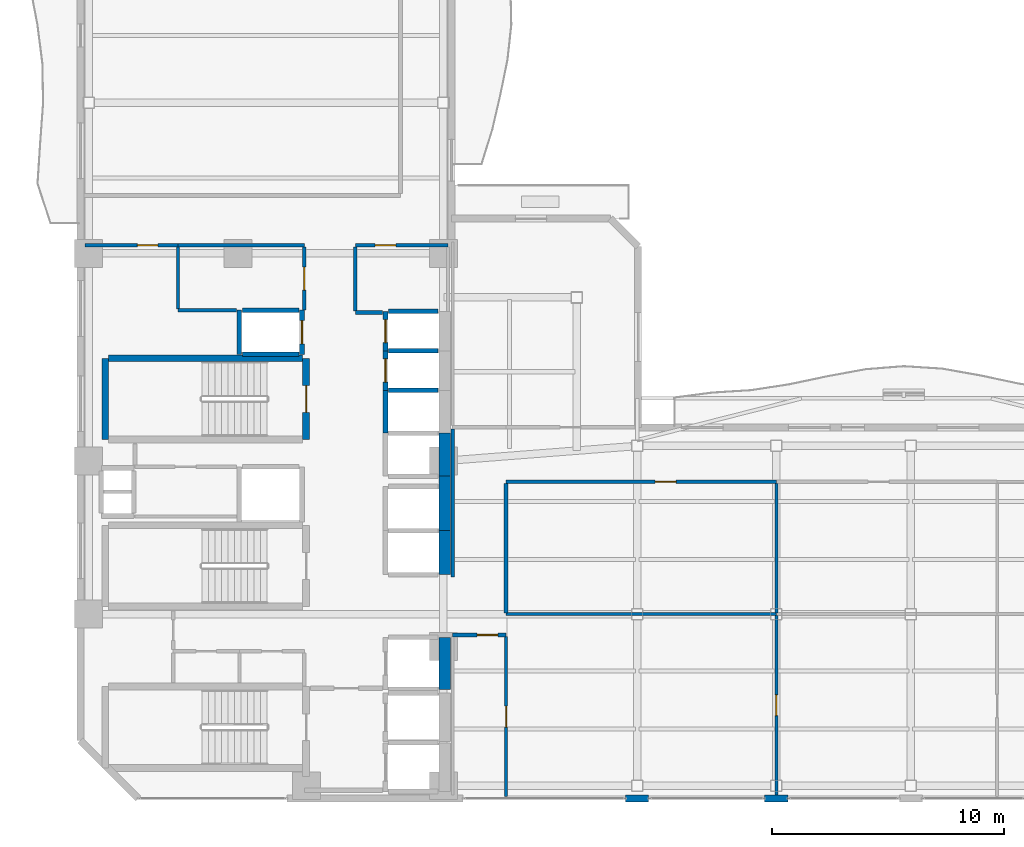
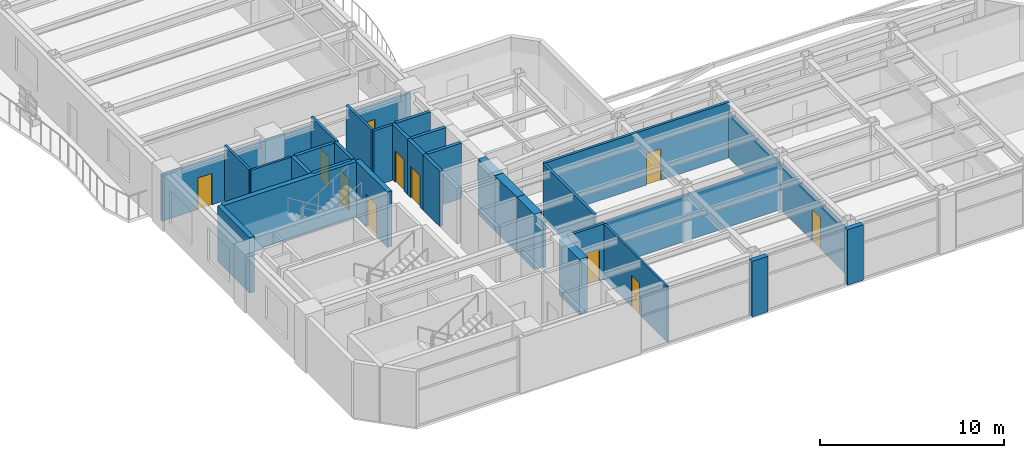
# One storey, part 10 of 15: 35 walls, 11 doors, 11 openings.
"""IFC4 building model written with IfcOpenShell, lengths in metres."""

from ifc_helpers import new_model, si_unit, direction, frame, frame_2d, origin, place, context, subcontext, project, spatial, rectangle, extrude, material, layer, layer_set, type_object, element, fill, save


model = new_model("IFC4")

# Units and contexts
model_context = context("Model", 3, precision=1e-05, world=origin(), true_north=direction((0.0, 1.0)))
body_context = subcontext(model_context, "Body", "Model", "MODEL_VIEW")
ifc_project = project(units=[si_unit("LENGTHUNIT", "METRE"), si_unit("AREAUNIT", "SQUARE_METRE"), si_unit("VOLUMEUNIT", "CUBIC_METRE"), si_unit("PLANEANGLEUNIT", "RADIAN"), si_unit("MASSUNIT", "GRAM", prefix="KILO")], contexts=[model_context])

# Site, building, storey
site_placement = place(None, origin())
site = spatial("IfcSite", under=ifc_project, at=site_placement, CompositionType="ELEMENT")
building_placement = place(site_placement, origin())
building = spatial("IfcBuilding", under=site, at=building_placement, Name="Mawjaban Terraces University", CompositionType="ELEMENT")
storey_placement = place(building_placement, frame((0.0, 0.0, 142.39990234375)))
storey = spatial("IfcBuildingStorey", under=building, at=storey_placement, Name="L34", CompositionType="ELEMENT", Elevation=142.39990234375)

# Walls
ifc_material_1 = material(Name="Concrete C60/75", Category="concrete")
ifc_layer_1 = layer(ifc_material_1, 0.5)
ifc_layer_set_1 = layer_set([ifc_layer_1], Name="Concrete C60/75")
wall_type_1 = type_object("IfcWallType", Name="CoreShearWall_500", PredefinedType="SHEAR", material=ifc_layer_set_1)
wall_1_placement = place(storey_placement, frame((37.699951171875, 4.699951171875, 0.0), z_axis=(0.0, 0.0, 1.0), x_axis=(0.0, 1.0, 0.0)))
element("IfcWall", 1, at=wall_1_placement, inside=storey, type_object=wall_type_1, Name="L34 Lift SL-1 Hoistway Wall East", PredefinedType="SHEAR", context=body_context, shape_type="SweptSolid", body=[
    extrude(rectangle(XDim=2.25, YDim=0.5, at=frame_2d((1.125, 0.0))), origin(), (0.0, 0.0, 1.0), 3.690185546875),
])
wall_2_placement = place(storey_placement, frame((37.699951171875, 9.64990234375, 0.0), z_axis=(0.0, 0.0, 1.0), x_axis=(0.0, 1.0, 0.0)))
element("IfcWall", 2, at=wall_2_placement, inside=storey, type_object=wall_type_1, Name="L34 Lift PL-H1 Hoistway Wall East", PredefinedType="SHEAR", context=body_context, shape_type="SweptSolid", body=[
    extrude(rectangle(XDim=1.900146484375, YDim=0.5, at=frame_2d((0.9501953125, 0.0))), origin(), (0.0, 0.0, 1.0), 3.690185546875),
])
wall_3_placement = place(storey_placement, frame((37.699951171875, 11.550048828125, 0.0), z_axis=(0.0, 0.0, 1.0), x_axis=(0.0, 1.0, 0.0)))
element("IfcWall", 3, at=wall_3_placement, inside=storey, type_object=wall_type_1, Name="L34 Lift PL-H2 Hoistway Wall East", PredefinedType="SHEAR", context=body_context, shape_type="SweptSolid", body=[
    extrude(rectangle(XDim=2.349853515625, YDim=0.5, at=frame_2d((1.1748046875, 0.0))), origin(), (0.0, 0.0, 1.0), 3.690185546875),
])
wall_4_placement = place(storey_placement, frame((37.699951171875, 13.89990234375, 0.0), z_axis=(0.0, 0.0, 1.0), x_axis=(0.0, 1.0, 0.0)))
element("IfcWall", 4, at=wall_4_placement, inside=storey, type_object=wall_type_1, Name="L34 Lift OL-1 Hoistway Wall East", PredefinedType="SHEAR", context=body_context, shape_type="SweptSolid", body=[
    extrude(rectangle(XDim=1.85009765625, YDim=0.5, at=frame_2d((0.925048828125, 0.0))), origin(), (0.0, 0.0, 1.0), 3.690185546875),
])

# Wall, opening, door
ifc_material_2 = material(Name="Fire-rated gypsum board on steel stud", Category="steel")
ifc_layer_2 = layer(ifc_material_2, 0.159912109375)
ifc_layer_set_2 = layer_set([ifc_layer_2], Name="Fire-rated gypsum board on steel stud")
wall_type_2 = type_object("IfcWallType", Name="CorridorPartition_160", PredefinedType="PARTITIONING", material=ifc_layer_set_2)
wall_5_placement = place(storey_placement, frame((26.199951171875, 23.85009765625, 0.0), z_axis=(0.0, 0.0, 1.0), x_axis=(-1.0, 0.0, 0.0)))
wall_5 = element("IfcWall", 5, at=wall_5_placement, inside=storey, type_object=wall_type_2, Name="L34 Female Toilet Partition 5", PredefinedType="PARTITIONING", context=body_context, shape_type="SweptSolid", body=[
    extrude(rectangle(XDim=4.0, YDim=0.159912109375, at=frame_2d((2.0, 0.0))), origin(), (0.0, 0.0, 1.0), 3.07421875),
])
opening_1_placement = place(wall_5_placement, frame((0.860107421875, 0.0, 0.0)))
opening_1 = element("IfcOpeningElement", 6, at=opening_1_placement, cuts=wall_5, Name="Opening ID-088", PredefinedType="OPENING", context=body_context, shape_type="SweptSolid", body=[
    extrude(rectangle(XDim=0.8798828125, YDim=2.10009765625, at=frame_2d((0.43994140625, 1.050048828125))), frame((0.0, 0.08984375, 0.0), z_axis=(0.0, -1.0, 0.0), x_axis=(1.0, 0.0, 0.0)), (0.0, 0.0, 1.0), 0.179931640625),
])
ifc_material_3 = material(Name="Powder-coated steel frame and solid acoustic timber leaf", Category="steel")
door_type_1 = type_object("IfcDoorType", Name="ToiletDoor_880x2100", OperationType="NOTDEFINED", PredefinedType="DOOR", material=ifc_material_3)
door_1_placement = place(opening_1_placement, origin())
door_1 = element("IfcDoor", 7, at=door_1_placement, inside=storey, type_object=door_type_1, Name="L34 Female Toilet Door", OperationType="SINGLE_SWING_LEFT", OverallHeight=2.10009765625, OverallWidth=0.8798828125, PredefinedType="DOOR", context=body_context, shape_type="SweptSolid", body=[
    extrude(rectangle(XDim=0.8798828125, YDim=2.10009765625, at=frame_2d((0.43994140625, 1.050048828125))), frame((0.0, 0.02490234375, 0.0), z_axis=(0.0, -1.0, 0.0), x_axis=(1.0, 0.0, 0.0)), (0.0, 0.0, 1.0), 0.050048828125),
])
fill(opening_1, door_1)

# Walls
wall_6_placement = place(storey_placement, frame((31.64990234375, 23.85009765625, 0.0), z_axis=(0.0, 0.0, 1.0), x_axis=(-1.0, 0.0, 0.0)))
element("IfcWall", 8, at=wall_6_placement, inside=storey, type_object=wall_type_2, Name="L34 Academic Tutorial Alcove Partition 8", PredefinedType="PARTITIONING", context=body_context, shape_type="SweptSolid", body=[
    extrude(rectangle(XDim=5.449951171875, YDim=0.159912109375, at=frame_2d((2.72509765625, 0.0))), origin(), (0.0, 0.0, 1.0), 3.07421875),
])
wall_7_placement = place(storey_placement, frame((35.02001953125, 20.949951171875, 0.0), z_axis=(0.0, 0.0, 1.0), x_axis=(-1.0, 0.0, 0.0)))
element("IfcWall", 9, at=wall_7_placement, inside=storey, type_object=wall_type_2, Name="L34 Passenger Lift Lobby Partition 10", PredefinedType="PARTITIONING", context=body_context, shape_type="SweptSolid", body=[
    extrude(rectangle(XDim=1.169921875, YDim=0.159912109375, at=frame_2d((0.5849609375, 0.0))), origin(), (0.0, 0.0, 1.0), 3.690185546875),
])

# Wall, opening, door
wall_8_placement = place(storey_placement, frame((37.85009765625, 23.85009765625, 0.0), z_axis=(0.0, 0.0, 1.0), x_axis=(-1.0, 0.0, 0.0)))
wall_8 = element("IfcWall", 10, at=wall_8_placement, inside=storey, type_object=wall_type_2, Name="L34 Departmental Resource Seminar Room Partition 12", PredefinedType="PARTITIONING", context=body_context, shape_type="SweptSolid", body=[
    extrude(rectangle(XDim=4.0, YDim=0.159912109375, at=frame_2d((2.0, 0.0))), origin(), (0.0, 0.0, 1.0), 3.07421875),
])
opening_2_placement = place(wall_8_placement, frame((2.25, 0.0, 0.0)))
opening_2 = element("IfcOpeningElement", 11, at=opening_2_placement, cuts=wall_8, Name="Opening ID-090", PredefinedType="OPENING", context=body_context, shape_type="SweptSolid", body=[
    extrude(rectangle(XDim=0.89990234375, YDim=2.10009765625, at=frame_2d((0.449951171875, 1.050048828125))), frame((0.0, 0.08984375, 0.0), z_axis=(0.0, -1.0, 0.0), x_axis=(1.0, 0.0, 0.0)), (0.0, 0.0, 1.0), 0.179931640625),
])
door_type_2 = type_object("IfcDoorType", Name="OfficeDoor_900x2100", OperationType="NOTDEFINED", PredefinedType="DOOR", material=ifc_material_3)
door_2_placement = place(opening_2_placement, origin())
door_2 = element("IfcDoor", 12, at=door_2_placement, inside=storey, type_object=door_type_2, Name="L34 Departmental Resource Seminar Room Door", OperationType="SINGLE_SWING_LEFT", OverallHeight=2.10009765625, OverallWidth=0.89990234375, PredefinedType="DOOR", context=body_context, shape_type="SweptSolid", body=[
    extrude(rectangle(XDim=0.89990234375, YDim=2.10009765625, at=frame_2d((0.449951171875, 1.050048828125))), frame((0.0, 0.02490234375, 0.0), z_axis=(0.0, -1.0, 0.0), x_axis=(1.0, 0.0, 0.0)), (0.0, 0.0, 1.0), 0.050048828125),
])
fill(opening_2, door_2)

wall_9_placement = place(storey_placement, frame((38.050048828125, 7.050048828125, 0.0), z_axis=(0.0, 0.0, 1.0), x_axis=(1.0, 0.0, 0.0)))
wall_9 = element("IfcWall", 13, at=wall_9_placement, inside=storey, type_object=wall_type_2, Name="L34 Inner Gallery Link Corridor Partition 13", PredefinedType="PARTITIONING", context=body_context, shape_type="SweptSolid", body=[
    extrude(rectangle(XDim=2.300048828125, YDim=0.159912109375, at=frame_2d((1.14990234375, 0.0))), origin(), (0.0, 0.0, 1.0), 3.690185546875),
])
opening_3_placement = place(wall_9_placement, frame((1.050048828125, 0.0, 0.0)))
opening_3 = element("IfcOpeningElement", 14, at=opening_3_placement, cuts=wall_9, Name="Opening ID-090", PredefinedType="OPENING", context=body_context, shape_type="SweptSolid", body=[
    extrude(rectangle(XDim=0.89990234375, YDim=2.10009765625, at=frame_2d((0.449951171875, 1.050048828125))), frame((0.0, 0.08984375, 0.0), z_axis=(0.0, -1.0, 0.0), x_axis=(1.0, 0.0, 0.0)), (0.0, 0.0, 1.0), 0.179931640625),
])
door_3_placement = place(opening_3_placement, origin())
door_3 = element("IfcDoor", 15, at=door_3_placement, inside=storey, type_object=door_type_2, Name="L34 Collaborative Study Room 1 Door", OperationType="SINGLE_SWING_RIGHT", OverallHeight=2.10009765625, OverallWidth=0.89990234375, PredefinedType="DOOR", context=body_context, shape_type="SweptSolid", body=[
    extrude(rectangle(XDim=0.89990234375, YDim=2.10009765625, at=frame_2d((0.449951171875, 1.050048828125))), frame((0.0, 0.02490234375, 0.0), z_axis=(0.0, -1.0, 0.0), x_axis=(1.0, 0.0, 0.0)), (0.0, 0.0, 1.0), 0.050048828125),
])
fill(opening_3, door_3)

wall_10_placement = place(storey_placement, frame((40.35009765625, 13.64990234375, 0.0), z_axis=(0.0, 0.0, 1.0), x_axis=(1.0, 0.0, 0.0)))
wall_10 = element("IfcWall", 16, at=wall_10_placement, inside=storey, type_object=wall_type_2, Name="L34 Inner Terrace Gallery Corridor East Partition 14", PredefinedType="PARTITIONING", context=body_context, shape_type="SweptSolid", body=[
    extrude(rectangle(XDim=11.64990234375, YDim=0.159912109375, at=frame_2d((5.824951171875, 0.0))), origin(), (0.0, 0.0, 1.0), 3.690185546875),
])
opening_4_placement = place(wall_10_placement, frame((6.425048828125, 0.0, 0.0)))
opening_4 = element("IfcOpeningElement", 17, at=opening_4_placement, cuts=wall_10, Name="Opening ID-090", PredefinedType="OPENING", context=body_context, shape_type="SweptSolid", body=[
    extrude(rectangle(XDim=0.89990234375, YDim=2.10009765625, at=frame_2d((0.449951171875, 1.050048828125))), frame((0.0, 0.08984375, 0.0), z_axis=(0.0, -1.0, 0.0), x_axis=(1.0, 0.0, 0.0)), (0.0, 0.0, 1.0), 0.179931640625),
])
door_4_placement = place(opening_4_placement, origin())
door_4 = element("IfcDoor", 18, at=door_4_placement, inside=storey, type_object=door_type_2, Name="L34 Collaborative Study Room 3 Door", OperationType="SINGLE_SWING_RIGHT", OverallHeight=2.10009765625, OverallWidth=0.89990234375, PredefinedType="DOOR", context=body_context, shape_type="SweptSolid", body=[
    extrude(rectangle(XDim=0.89990234375, YDim=2.10009765625, at=frame_2d((0.449951171875, 1.050048828125))), frame((0.0, 0.02490234375, 0.0), z_axis=(0.0, -1.0, 0.0), x_axis=(1.0, 0.0, 0.0)), (0.0, 0.0, 1.0), 0.050048828125),
])
fill(opening_4, door_4)

wall_11_placement = place(storey_placement, frame((31.64990234375, 23.77490234375, 0.0), z_axis=(0.0, 0.0, 1.0), x_axis=(0.0, -1.0, 0.0)))
wall_11 = element("IfcWall", 19, at=wall_11_placement, inside=storey, type_object=wall_type_2, Name="L34 Core North Lift Lobby Partition 28", PredefinedType="PARTITIONING", context=body_context, shape_type="SweptSolid", body=[
    extrude(rectangle(XDim=2.724853515625, YDim=0.159912109375, at=frame_2d((1.3623046875, 0.0))), origin(), (0.0, 0.0, 1.0), 3.690185546875),
])
opening_5_placement = place(wall_11_placement, frame((0.862060546875, 0.0, 0.0)))
opening_5 = element("IfcOpeningElement", 20, at=opening_5_placement, cuts=wall_11, Name="Opening ID-100", PredefinedType="OPENING", context=body_context, shape_type="SweptSolid", body=[
    extrude(rectangle(XDim=1.0, YDim=2.10009765625, at=frame_2d((0.5, 1.050048828125))), frame((0.0, 0.08984375, 0.0), z_axis=(0.0, -1.0, 0.0), x_axis=(1.0, 0.0, 0.0)), (0.0, 0.0, 1.0), 0.179931640625),
])
door_type_3 = type_object("IfcDoorType", Name="ClassroomDoor_1000x2100", OperationType="NOTDEFINED", PredefinedType="DOOR", material=ifc_material_3)
door_5_placement = place(opening_5_placement, origin())
door_5 = element("IfcDoor", 21, at=door_5_placement, inside=storey, type_object=door_type_3, Name="L34 Academic Tutorial Alcove Door", OperationType="SINGLE_SWING_RIGHT", OverallHeight=2.10009765625, OverallWidth=1.0, PredefinedType="DOOR", context=body_context, shape_type="SweptSolid", body=[
    extrude(rectangle(XDim=1.0, YDim=2.10009765625, at=frame_2d((0.5, 1.050048828125))), frame((0.0, 0.02490234375, 0.0), z_axis=(0.0, -1.0, 0.0), x_axis=(1.0, 0.0, 0.0)), (0.0, 0.0, 1.0), 0.050048828125),
])
fill(opening_5, door_5)

# Walls
wall_12_placement = place(storey_placement, frame((33.85009765625, 21.02490234375, 0.0), z_axis=(0.0, 0.0, 1.0), x_axis=(0.0, 1.0, 0.0)))
element("IfcWall", 22, at=wall_12_placement, inside=storey, type_object=wall_type_2, Name="L34 Core North Lift Lobby Partition 29", PredefinedType="PARTITIONING", context=body_context, shape_type="SweptSolid", body=[
    extrude(rectangle(XDim=2.75, YDim=0.159912109375, at=frame_2d((1.375, 0.0))), origin(), (0.0, 0.0, 1.0), 3.690185546875),
])
wall_13_placement = place(storey_placement, frame((38.050048828125, 15.925048828125, 0.0), z_axis=(0.0, 0.0, 1.0), x_axis=(0.0, -1.0, 0.0)))
element("IfcWall", 23, at=wall_13_placement, inside=storey, type_object=wall_type_2, Name="L34 Inner Gallery Link Corridor Partition 33", PredefinedType="PARTITIONING", context=body_context, shape_type="SweptSolid", body=[
    extrude(rectangle(XDim=6.375, YDim=0.159912109375, at=frame_2d((3.1875, 0.0))), origin(), (0.0, 0.0, 1.0), 3.07421875),
])
wall_14_placement = place(storey_placement, frame((40.35009765625, 8.008056640625, 0.0), z_axis=(0.0, 0.0, 1.0), x_axis=(0.0, 1.0, 0.0)))
element("IfcWall", 24, at=wall_14_placement, inside=storey, type_object=wall_type_2, Name="L34 Inner Gallery Link Corridor Partition 36", PredefinedType="PARTITIONING", context=body_context, shape_type="SweptSolid", body=[
    extrude(rectangle(XDim=5.56689453125, YDim=0.159912109375, at=frame_2d((2.783447265625, 0.0))), origin(), (0.0, 0.0, 1.0), 3.690185546875),
])
ifc_material_4 = material(Name="Insulated terracotta rainscreen on concrete backup C40/50", Category="masonry")
ifc_layer_3 = layer(ifc_material_4, 0.300048828125)
ifc_layer_set_3 = layer_set([ifc_layer_3], Name="Insulated terracotta rainscreen on concrete backup C40/50")
wall_type_3 = type_object("IfcWallType", Name="ExtTerracottaWall_300", PredefinedType="SOLIDWALL", material=ifc_layer_set_3)
for number, where, z_axis, x_axis, name in (
    (25, (45.5, 0.0, 0.0), (0.0, 0.0, 1.0), (1.0, 0.0, 0.0), "L34 Exterior Terracotta Pier Wall 1.2"),
    (26, (51.5, 0.0, 0.0), (0.0, 0.0, 1.0), (1.0, 0.0, 0.0), "L34 Exterior Terracotta Pier Wall 1.3"),
):
    element("IfcWall", number, at=place(storey_placement, frame(where, z_axis=z_axis, x_axis=x_axis)), inside=storey, type_object=wall_type_3, Name=name, PredefinedType="SOLIDWALL", context=body_context, shape_type="SweptSolid", body=[
        extrude(rectangle(XDim=1.0, YDim=0.300048828125, at=frame_2d((0.5, 0.0))), origin(), (0.0, 0.0, 1.0), 3.690185546875),
    ])
ifc_material_5 = material(Name="Concrete C40/50", Category="concrete")
ifc_layer_4 = layer(ifc_material_5, 0.199951171875)
ifc_layer_set_4 = layer_set([ifc_layer_4], Name="Concrete C40/50")
wall_type_4 = type_object("IfcWallType", Name="FireLobbyWall_200", PredefinedType="SOLIDWALL", material=ifc_layer_set_4)
wall_15_placement = place(storey_placement, frame((35.14990234375, 17.60009765625, 0.0), z_axis=(0.0, 0.0, 1.0), x_axis=(0.0, -1.0, 0.0)))
element("IfcWall", 27, at=wall_15_placement, inside=storey, type_object=wall_type_4, Name="L34 Lift OL-2 Hoistway Wall West", PredefinedType="SOLIDWALL", context=body_context, shape_type="SweptSolid", body=[
    extrude(rectangle(XDim=1.85009765625, YDim=0.199951171875, at=frame_2d((0.925048828125, 0.0))), origin(), (0.0, 0.0, 1.0), 3.690185546875),
])
wall_16_placement = place(storey_placement, frame((37.419921875, 17.60009765625, 0.0), z_axis=(0.0, 0.0, 1.0), x_axis=(-1.0, 0.0, 0.0)))
element("IfcWall", 28, at=wall_16_placement, inside=storey, type_object=wall_type_4, Name="L34 Lift OL-2 Hoistway Wall North", PredefinedType="SOLIDWALL", context=body_context, shape_type="SweptSolid", body=[
    extrude(rectangle(XDim=2.139892578125, YDim=0.199951171875, at=frame_2d((1.06982421875, 0.0))), origin(), (0.0, 0.0, 1.0), 3.690185546875),
])

# Wall, opening, door
wall_17_placement = place(storey_placement, frame((35.14990234375, 19.300048828125, 0.0), z_axis=(0.0, 0.0, 1.0), x_axis=(0.0, -1.0, 0.0)))
wall_17 = element("IfcWall", 29, at=wall_17_placement, inside=storey, type_object=wall_type_4, Name="L34 Lift PL-M1 Hoistway Wall West", PredefinedType="SOLIDWALL", context=body_context, shape_type="SweptSolid", body=[
    extrude(rectangle(XDim=1.699951171875, YDim=0.199951171875, at=frame_2d((0.85009765625, 0.0))), origin(), (0.0, 0.0, 1.0), 3.690185546875),
])
opening_6_placement = place(wall_17_placement, frame((0.35009765625, 0.0, 0.0)))
opening_6 = element("IfcOpeningElement", 30, at=opening_6_placement, cuts=wall_17, Name="Opening LD-PL-M1", PredefinedType="OPENING", context=body_context, shape_type="SweptSolid", body=[
    extrude(rectangle(XDim=1.0, YDim=2.10009765625, at=frame_2d((0.5, 1.050048828125))), frame((0.0, 0.10986328125, 0.0), z_axis=(0.0, -1.0, 0.0), x_axis=(1.0, 0.0, 0.0)), (0.0, 0.0, 1.0), 0.219970703125),
])
ifc_material_6 = material(Name="Powder-coated steel frame and fire-rated steel-faced leaf", Category="steel")
door_type_4 = type_object("IfcDoorType", Name="LiftLandingSliding_1000x2100", OperationType="NOTDEFINED", PredefinedType="DOOR", material=ifc_material_6)
door_6_placement = place(opening_6_placement, origin())
door_6 = element("IfcDoor", 31, at=door_6_placement, inside=storey, type_object=door_type_4, Name="L34 Lift PL-M1 Sliding Landing Door", OperationType="DOUBLE_DOOR_SLIDING", OverallHeight=2.10009765625, OverallWidth=1.0, PredefinedType="DOOR", context=body_context, shape_type="SweptSolid", body=[
    extrude(rectangle(XDim=1.0, YDim=2.10009765625, at=frame_2d((0.5, 1.050048828125))), frame((0.0, 0.02490234375, 0.0), z_axis=(0.0, -1.0, 0.0), x_axis=(1.0, 0.0, 0.0)), (0.0, 0.0, 1.0), 0.050048828125),
])
fill(opening_6, door_6)

# Wall
wall_18_placement = place(storey_placement, frame((37.419921875, 19.300048828125, 0.0), z_axis=(0.0, 0.0, 1.0), x_axis=(-1.0, 0.0, 0.0)))
element("IfcWall", 32, at=wall_18_placement, inside=storey, type_object=wall_type_4, Name="L34 Lift PL-M1 Hoistway Wall North", PredefinedType="SOLIDWALL", context=body_context, shape_type="SweptSolid", body=[
    extrude(rectangle(XDim=2.139892578125, YDim=0.199951171875, at=frame_2d((1.06982421875, 0.0))), origin(), (0.0, 0.0, 1.0), 3.690185546875),
])

# Wall, opening, door
wall_19_placement = place(storey_placement, frame((35.14990234375, 21.0, 0.0), z_axis=(0.0, 0.0, 1.0), x_axis=(0.0, -1.0, 0.0)))
wall_19 = element("IfcWall", 33, at=wall_19_placement, inside=storey, type_object=wall_type_4, Name="L34 Lift PL-M2 Hoistway Wall West", PredefinedType="SOLIDWALL", context=body_context, shape_type="SweptSolid", body=[
    extrude(rectangle(XDim=1.699951171875, YDim=0.199951171875, at=frame_2d((0.85009765625, 0.0))), origin(), (0.0, 0.0, 1.0), 3.690185546875),
])
opening_7_placement = place(wall_19_placement, frame((0.35009765625, 0.0, 0.0)))
opening_7 = element("IfcOpeningElement", 34, at=opening_7_placement, cuts=wall_19, Name="Opening LD-PL-M2", PredefinedType="OPENING", context=body_context, shape_type="SweptSolid", body=[
    extrude(rectangle(XDim=1.0, YDim=2.10009765625, at=frame_2d((0.5, 1.050048828125))), frame((0.0, 0.10986328125, 0.0), z_axis=(0.0, -1.0, 0.0), x_axis=(1.0, 0.0, 0.0)), (0.0, 0.0, 1.0), 0.219970703125),
])
door_7_placement = place(opening_7_placement, origin())
door_7 = element("IfcDoor", 35, at=door_7_placement, inside=storey, type_object=door_type_4, Name="L34 Lift PL-M2 Sliding Landing Door", OperationType="DOUBLE_DOOR_SLIDING", OverallHeight=2.10009765625, OverallWidth=1.0, PredefinedType="DOOR", context=body_context, shape_type="SweptSolid", body=[
    extrude(rectangle(XDim=1.0, YDim=2.10009765625, at=frame_2d((0.5, 1.050048828125))), frame((0.0, 0.02490234375, 0.0), z_axis=(0.0, -1.0, 0.0), x_axis=(1.0, 0.0, 0.0)), (0.0, 0.0, 1.0), 0.050048828125),
])
fill(opening_7, door_7)

# Walls
wall_20_placement = place(storey_placement, frame((37.419921875, 21.0, 0.0), z_axis=(0.0, 0.0, 1.0), x_axis=(-1.0, 0.0, 0.0)))
element("IfcWall", 36, at=wall_20_placement, inside=storey, type_object=wall_type_4, Name="L34 Lift PL-M2 Hoistway Wall North", PredefinedType="SOLIDWALL", context=body_context, shape_type="SweptSolid", body=[
    extrude(rectangle(XDim=2.139892578125, YDim=0.199951171875, at=frame_2d((1.06982421875, 0.0))), origin(), (0.0, 0.0, 1.0), 3.690185546875),
])
wall_21_placement = place(storey_placement, frame((28.85009765625, 21.050048828125, 0.0), z_axis=(0.0, 0.0, 1.0), x_axis=(0.0, -1.0, 0.0)))
element("IfcWall", 37, at=wall_21_placement, inside=storey, type_object=wall_type_4, Name="L34 Lift PL-M3 Hoistway Wall West", PredefinedType="SOLIDWALL", context=body_context, shape_type="SweptSolid", body=[
    extrude(rectangle(XDim=1.900146484375, YDim=0.199951171875, at=frame_2d((0.9501953125, 0.0))), origin(), (0.0, 0.0, 1.0), 3.690185546875),
])

# Wall, opening, door
wall_22_placement = place(storey_placement, frame((31.550048828125, 19.14990234375, 0.0), z_axis=(0.0, 0.0, 1.0), x_axis=(0.0, 1.0, 0.0)))
wall_22 = element("IfcWall", 38, at=wall_22_placement, inside=storey, type_object=wall_type_4, Name="L34 Lift PL-M3 Hoistway Wall East", PredefinedType="SOLIDWALL", context=body_context, shape_type="SweptSolid", body=[
    extrude(rectangle(XDim=1.900146484375, YDim=0.199951171875, at=frame_2d((0.9501953125, 0.0))), origin(), (0.0, 0.0, 1.0), 3.690185546875),
])
opening_8_placement = place(wall_22_placement, frame((0.449951171875, 0.0, 0.0)))
opening_8 = element("IfcOpeningElement", 39, at=opening_8_placement, cuts=wall_22, Name="Opening LD-PL-M3", PredefinedType="OPENING", context=body_context, shape_type="SweptSolid", body=[
    extrude(rectangle(XDim=1.0, YDim=2.10009765625, at=frame_2d((0.5, 1.050048828125))), frame((0.0, 0.10986328125, 0.0), z_axis=(0.0, -1.0, 0.0), x_axis=(1.0, 0.0, 0.0)), (0.0, 0.0, 1.0), 0.219970703125),
])
door_8_placement = place(opening_8_placement, origin())
door_8 = element("IfcDoor", 40, at=door_8_placement, inside=storey, type_object=door_type_4, Name="L34 Lift PL-M3 Sliding Landing Door", OperationType="DOUBLE_DOOR_SLIDING", OverallHeight=2.10009765625, OverallWidth=1.0, PredefinedType="DOOR", context=body_context, shape_type="SweptSolid", body=[
    extrude(rectangle(XDim=1.0, YDim=2.10009765625, at=frame_2d((0.5, 1.050048828125))), frame((0.0, 0.02490234375, 0.0), z_axis=(0.0, -1.0, 0.0), x_axis=(1.0, 0.0, 0.0)), (0.0, 0.0, 1.0), 0.050048828125),
])
fill(opening_8, door_8)

# Walls
for number, where, z_axis, x_axis, name in (
    (41, (28.97998046875, 19.14990234375, 0.0), (0.0, 0.0, 1.0), (1.0, 0.0, 0.0), "L34 Lift PL-M3 Hoistway Wall South"),
    (42, (31.419921875, 21.050048828125, 0.0), (0.0, 0.0, 1.0), (-1.0, 0.0, 0.0), "L34 Lift PL-M3 Hoistway Wall North"),
):
    element("IfcWall", number, at=place(storey_placement, frame(where, z_axis=z_axis, x_axis=x_axis)), inside=storey, type_object=wall_type_4, Name=name, PredefinedType="SOLIDWALL", context=body_context, shape_type="SweptSolid", body=[
        extrude(rectangle(XDim=2.43994140625, YDim=0.199951171875, at=frame_2d((1.219970703125, 0.0))), origin(), (0.0, 0.0, 1.0), 3.690185546875),
    ])
ifc_material_7 = material(Name="Gypsum plasterboard on steel stud", Category="steel")
ifc_layer_5 = layer(ifc_material_7, 0.125)
ifc_layer_set_5 = layer_set([ifc_layer_5], Name="Gypsum plasterboard on steel stud")
wall_type_5 = type_object("IfcWallType", Name="OfficePartition_125", PredefinedType="PARTITIONING", material=ifc_layer_set_5)
wall_23_placement = place(storey_placement, frame((52.0, 7.949951171875, 0.0), z_axis=(0.0, 0.0, 1.0), x_axis=(-1.0, 0.0, 0.0)))
element("IfcWall", 43, at=wall_23_placement, inside=storey, type_object=wall_type_5, Name="L34 Graduate Study Lounge 2 Partition 17", PredefinedType="PARTITIONING", context=body_context, shape_type="SweptSolid", body=[
    extrude(rectangle(XDim=11.64990234375, YDim=0.125, at=frame_2d((5.824951171875, 0.0))), origin(), (0.0, 0.0, 1.0), 3.07421875),
])

# Wall, opening, door
wall_24_placement = place(storey_placement, frame((40.35009765625, 0.090087890625, 0.0), z_axis=(0.0, 0.0, 1.0), x_axis=(0.0, 1.0, 0.0)))
wall_24 = element("IfcWall", 44, at=wall_24_placement, inside=storey, type_object=wall_type_5, Name="L34 Collaborative Study Room 1 Partition 35", PredefinedType="PARTITIONING", context=body_context, shape_type="SweptSolid", body=[
    extrude(rectangle(XDim=6.885009765625, YDim=0.125, at=frame_2d((3.4423828125, 0.0))), origin(), (0.0, 0.0, 1.0), 3.690185546875),
])
opening_9_placement = place(wall_24_placement, frame((2.991943359375, 0.0, 0.0)))
opening_9 = element("IfcOpeningElement", 45, at=opening_9_placement, cuts=wall_24, Name="Opening ID-090", PredefinedType="OPENING", context=body_context, shape_type="SweptSolid", body=[
    extrude(rectangle(XDim=0.89990234375, YDim=2.10009765625, at=frame_2d((0.449951171875, 1.050048828125))), frame((0.0, 0.072509765625, 0.0), z_axis=(0.0, -1.0, 0.0), x_axis=(1.0, 0.0, 0.0)), (0.0, 0.0, 1.0), 0.14501953125),
])
door_9_placement = place(opening_9_placement, origin())
door_9 = element("IfcDoor", 46, at=door_9_placement, inside=storey, type_object=door_type_2, Name="L34 Graduate Study Lounge 2 Door", OperationType="SINGLE_SWING_LEFT", OverallHeight=2.10009765625, OverallWidth=0.89990234375, PredefinedType="DOOR", context=body_context, shape_type="SweptSolid", body=[
    extrude(rectangle(XDim=0.89990234375, YDim=2.10009765625, at=frame_2d((0.449951171875, 1.050048828125))), frame((0.0, 0.02490234375, 0.0), z_axis=(0.0, -1.0, 0.0), x_axis=(1.0, 0.0, 0.0)), (0.0, 0.0, 1.0), 0.050048828125),
])
fill(opening_9, door_9)

wall_25_placement = place(storey_placement, frame((52.0, 0.14501953125, 0.0), z_axis=(0.0, 0.0, 1.0), x_axis=(0.0, 1.0, 0.0)))
wall_25 = element("IfcWall", 47, at=wall_25_placement, inside=storey, type_object=wall_type_5, Name="L34 Graduate Study Lounge 2 Partition 37", PredefinedType="PARTITIONING", context=body_context, shape_type="SweptSolid", body=[
    extrude(rectangle(XDim=7.748046875, YDim=0.125, at=frame_2d((3.8740234375, 0.0))), origin(), (0.0, 0.0, 1.0), 3.07421875),
])
opening_10_placement = place(wall_25_placement, frame((3.424072265625, 0.0, 0.0)))
opening_10 = element("IfcOpeningElement", 48, at=opening_10_placement, cuts=wall_25, Name="Opening ID-090", PredefinedType="OPENING", context=body_context, shape_type="SweptSolid", body=[
    extrude(rectangle(XDim=0.89990234375, YDim=2.10009765625, at=frame_2d((0.449951171875, 1.050048828125))), frame((0.0, 0.072509765625, 0.0), z_axis=(0.0, -1.0, 0.0), x_axis=(1.0, 0.0, 0.0)), (0.0, 0.0, 1.0), 0.14501953125),
])
door_10_placement = place(opening_10_placement, origin())
door_10 = element("IfcDoor", 49, at=door_10_placement, inside=storey, type_object=door_type_2, Name="L34 Graduate Study Lounge 4 Door", OperationType="SINGLE_SWING_LEFT", OverallHeight=2.10009765625, OverallWidth=0.89990234375, PredefinedType="DOOR", context=body_context, shape_type="SweptSolid", body=[
    extrude(rectangle(XDim=0.89990234375, YDim=2.10009765625, at=frame_2d((0.449951171875, 1.050048828125))), frame((0.0, 0.02490234375, 0.0), z_axis=(0.0, -1.0, 0.0), x_axis=(1.0, 0.0, 0.0)), (0.0, 0.0, 1.0), 0.050048828125),
])
fill(opening_10, door_10)

# Walls
wall_26_placement = place(storey_placement, frame((52.0, 8.008056640625, 0.0), z_axis=(0.0, 0.0, 1.0), x_axis=(0.0, 1.0, 0.0)))
element("IfcWall", 50, at=wall_26_placement, inside=storey, type_object=wall_type_5, Name="L34 Collaborative Study Room 3 Partition 38", PredefinedType="PARTITIONING", context=body_context, shape_type="SweptSolid", body=[
    extrude(rectangle(XDim=5.56689453125, YDim=0.125, at=frame_2d((2.783447265625, 0.0))), origin(), (0.0, 0.0, 1.0), 3.07421875),
])
ifc_layer_6 = layer(ifc_material_1, 0.300048828125)
ifc_layer_set_6 = layer_set([ifc_layer_6], Name="Concrete C60/75")
wall_type_6 = type_object("IfcWallType", Name="StairShaftWall_300", PredefinedType="SHEAR", material=ifc_layer_set_6)
wall_27_placement = place(storey_placement, frame((31.580078125, 18.97998046875, 0.0), z_axis=(0.0, 0.0, 1.0), x_axis=(-1.0, 0.0, 0.0)))
element("IfcWall", 51, at=wall_27_placement, inside=storey, type_object=wall_type_6, Name="L34 ST-2 Stair Shaft Wall 1", PredefinedType="SHEAR", context=body_context, shape_type="SweptSolid", body=[
    extrude(rectangle(XDim=8.360107421875, YDim=0.300048828125, at=frame_2d((4.18017578125, 0.0))), origin(), (0.0, 0.0, 1.0), 3.690185546875),
])
wall_28_placement = place(storey_placement, frame((23.070068359375, 18.97998046875, 0.0), z_axis=(0.0, 0.0, 1.0), x_axis=(0.0, -1.0, 0.0)))
element("IfcWall", 52, at=wall_28_placement, inside=storey, type_object=wall_type_6, Name="L34 ST-2 Stair Shaft Wall 2", PredefinedType="SHEAR", context=body_context, shape_type="SweptSolid", body=[
    extrude(rectangle(XDim=3.510009765625, YDim=0.300048828125, at=frame_2d((1.7548828125, 0.0))), origin(), (0.0, 0.0, 1.0), 3.690185546875),
])

# Wall, opening, door
wall_29_placement = place(storey_placement, frame((31.72998046875, 15.469970703125, 0.0), z_axis=(0.0, 0.0, 1.0), x_axis=(0.0, 1.0, 0.0)))
wall_29 = element("IfcWall", 53, at=wall_29_placement, inside=storey, type_object=wall_type_6, Name="L34 ST-2 Stair Shaft Wall 4", PredefinedType="SHEAR", context=body_context, shape_type="SweptSolid", body=[
    extrude(rectangle(XDim=3.510009765625, YDim=0.300048828125, at=frame_2d((1.7548828125, 0.0))), origin(), (0.0, 0.0, 1.0), 3.690185546875),
])
opening_11_placement = place(wall_29_placement, frame((1.179931640625, 0.0, 0.0)))
opening_11 = element("IfcOpeningElement", 54, at=opening_11_placement, cuts=wall_29, Name="Opening FD-115", PredefinedType="OPENING", context=body_context, shape_type="SweptSolid", body=[
    extrude(rectangle(XDim=1.14990234375, YDim=2.14990234375, at=frame_2d((0.574951171875, 1.074951171875))), frame((0.0, 0.159912109375, 0.0), z_axis=(0.0, -1.0, 0.0), x_axis=(1.0, 0.0, 0.0)), (0.0, 0.0, 1.0), 0.320068359375),
])
door_type_5 = type_object("IfcDoorType", Name="FireStairDoor_1150x2150", OperationType="NOTDEFINED", PredefinedType="DOOR", material=ifc_material_6)
door_11_placement = place(opening_11_placement, origin())
door_11 = element("IfcDoor", 55, at=door_11_placement, inside=storey, type_object=door_type_5, Name="L34 ST-2 Pressurised Stair Fire Door", OperationType="SINGLE_SWING_RIGHT", OverallHeight=2.14990234375, OverallWidth=1.14990234375, PredefinedType="DOOR", context=body_context, shape_type="SweptSolid", body=[
    extrude(rectangle(XDim=1.14990234375, YDim=2.14990234375, at=frame_2d((0.574951171875, 1.074951171875))), frame((0.0, 0.02490234375, 0.0), z_axis=(0.0, -1.0, 0.0), x_axis=(1.0, 0.0, 0.0)), (0.0, 0.0, 1.0), 0.050048828125),
])
fill(opening_11, door_11)

# Walls
ifc_material_8 = material(Name="Cement-board wet-room partition", Category="masonry")
ifc_layer_7 = layer(ifc_material_8, 0.135009765625)
ifc_layer_set_7 = layer_set([ifc_layer_7], Name="Cement-board wet-room partition")
wall_type_7 = type_object("IfcWallType", Name="WetRoomPartition_135", PredefinedType="PARTITIONING", material=ifc_layer_set_7)
wall_30_placement = place(storey_placement, frame((26.199951171875, 21.050048828125, 0.0), z_axis=(0.0, 0.0, 1.0), x_axis=(1.0, 0.0, 0.0)))
element("IfcWall", 56, at=wall_30_placement, inside=storey, type_object=wall_type_7, Name="L34 Academic Tutorial Alcove Partition 4", PredefinedType="PARTITIONING", context=body_context, shape_type="SweptSolid", body=[
    extrude(rectangle(XDim=2.52001953125, YDim=0.135009765625, at=frame_2d((1.260009765625, 0.0))), origin(), (0.0, 0.0, 1.0), 3.690185546875),
])
wall_31_placement = place(storey_placement, frame((26.199951171875, 23.77490234375, 0.0), z_axis=(0.0, 0.0, 1.0), x_axis=(0.0, -1.0, 0.0)))
element("IfcWall", 57, at=wall_31_placement, inside=storey, type_object=wall_type_7, Name="L34 Academic Tutorial Alcove Partition 25", PredefinedType="PARTITIONING", context=body_context, shape_type="SweptSolid", body=[
    extrude(rectangle(XDim=2.661865234375, YDim=0.135009765625, at=frame_2d((1.3310546875, 0.0))), origin(), (0.0, 0.0, 1.0), 3.690185546875),
])

save(model, "model.ifc")
